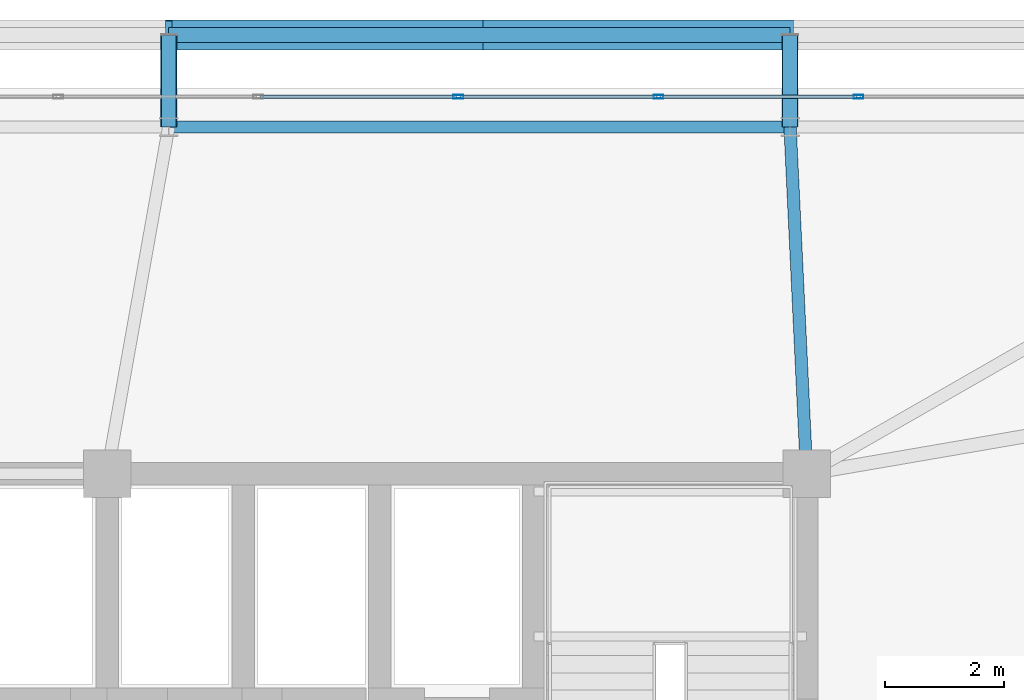
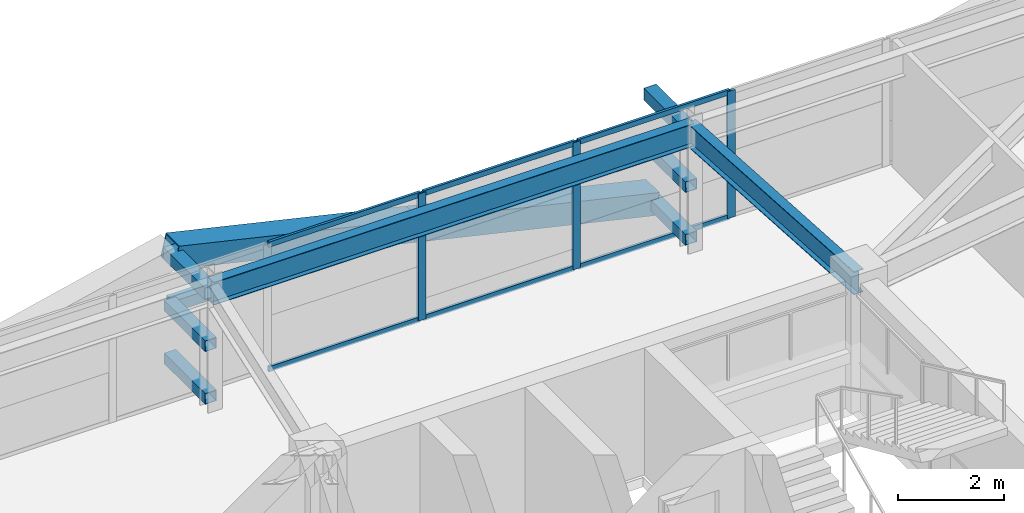
# One storey, part 38 of 59: 18 members, 2 beams, 1 element without a shape of its own.
"""IFC4 building model written with IfcOpenShell, lengths in metres."""

from ifc_helpers import new_model, si_unit, direction, frame, origin, origin_2d, place, context, subcontext, project, spatial, hollow_rectangle, i_section, extrude, source, transform, mapped, material, layer, layer_set, material_profile, profile_set, type_object, element, aggregate, save


model = new_model("IFC4")

# Units and contexts
model_context = context("Model", 3, precision=1e-05, world=origin(), true_north=direction((0.0, 1.0)))
body_context = subcontext(model_context, "Body", "Model", "MODEL_VIEW")
ifc_project = project(units=[si_unit("LENGTHUNIT", "METRE"), si_unit("AREAUNIT", "SQUARE_METRE"), si_unit("VOLUMEUNIT", "CUBIC_METRE"), si_unit("PLANEANGLEUNIT", "RADIAN"), si_unit("MASSUNIT", "GRAM", prefix="KILO")], contexts=[model_context])

# Site, building, storey
site_placement = place(None, origin())
site = spatial("IfcSite", under=ifc_project, at=site_placement, CompositionType="ELEMENT")
building_placement = place(site_placement, origin())
building = spatial("IfcBuilding", under=site, at=building_placement, Name="Taldren Reach Tower", CompositionType="ELEMENT")
storey_placement = place(building_placement, frame((0.0, 0.0, 48.300048828125)))
storey = spatial("IfcBuildingStorey", under=building, at=storey_placement, Name="L14", CompositionType="ELEMENT", Elevation=48.300048828125)

# Beams
ifc_material_1 = material(Name="Steel Gr 350 (350PLUS)", Category="steel")
ifc_material_profile_1 = material_profile(ifc_material_1, i_section(OverallWidth=0.208984375, OverallDepth=0.528076171875, WebThickness=0.009521484375, FlangeThickness=0.01318359375, at=origin_2d()), Name="530UB82.0")
ifc_profile_set_1 = profile_set([ifc_material_profile_1], Name="Steel Gr 350 (350PLUS)")
beam_type_1 = type_object("IfcBeamType", Name="SP-UB530B", PredefinedType="SPANDREL", material=ifc_profile_set_1)
shared_shape_1 = source(origin(), body_context, "Body", "SweptSolid", [
    extrude(i_section(OverallWidth=0.208984375, OverallDepth=0.528076171875, WebThickness=0.009521484375, FlangeThickness=0.01318359375, at=origin_2d()), origin(), (0.0, 0.0, 1.0), 10.47998046875),
])
beam_1_placement = place(storey_placement, frame((50.719970703125, 37.85009765625, 2.666015625), z_axis=(-1.0, 0.0, 0.0), x_axis=(0.0, -1.0, 0.0)))
element("IfcBeam", 1, at=beam_1_placement, inside=storey, type_object=beam_type_1, Name="Perimeter spandrel B1 N5-N4 L14", PredefinedType="SPANDREL", context=body_context, shape_type="MappedRepresentation", body=[
    mapped(shared_shape_1, transform((0.0, 0.0, 0.0), scale=1.0)),
])
ifc_material_profile_2 = material_profile(ifc_material_1, i_section(OverallWidth=0.208984375, OverallDepth=0.532958984375, WebThickness=0.01025390625, FlangeThickness=0.015625, at=origin_2d()), Name="530UB92.4")
ifc_profile_set_2 = profile_set([ifc_material_profile_2], Name="Steel Gr 350 (350PLUS)")
beam_type_2 = type_object("IfcBeamType", Name="BM-UB530A", PredefinedType="BEAM", material=ifc_profile_set_2)
shared_shape_2 = source(origin(), body_context, "Body", "SweptSolid", [
    extrude(i_section(OverallWidth=0.208984375, OverallDepth=0.532958984375, WebThickness=0.01025390625, FlangeThickness=0.015625, at=origin_2d()), origin(), (0.0, 0.0, 1.0), 5.856689453125),
])
beam_2_placement = place(storey_placement, frame((51.0, 32.0, 2.663330078125), z_axis=(-0.047812711672, 0.998856318297, 0.0), x_axis=(-0.998856318297, -0.047812711672, 0.0)))
element("IfcBeam", 2, at=beam_2_placement, inside=storey, type_object=beam_type_2, Name="Primary floor girder B1-N5 L14", PredefinedType="BEAM", context=body_context, shape_type="MappedRepresentation", body=[
    mapped(shared_shape_2, transform((0.0, 0.0, 0.0), scale=1.0)),
])

# Members
ifc_material_2 = material(Name="Steel Gr 450 (C450L0)", Category="steel")
ifc_material_profile_3 = material_profile(ifc_material_2, hollow_rectangle(XDim=0.27490234375, YDim=0.27490234375, WallThickness=0.00927734375, at=origin_2d()), Name="275x275x9.3SHS")
ifc_profile_set_3 = profile_set([ifc_material_profile_3], Name="Steel Gr 450 (C450L0)")
member_type_1 = type_object("IfcMemberType", Name="MB-TIE273", PredefinedType="STRUT", material=ifc_profile_set_3)
shared_shape_3 = source(origin(), body_context, "Body", "SweptSolid", [
    extrude(hollow_rectangle(XDim=0.27490234375, YDim=0.27490234375, WallThickness=0.00927734375, at=origin_2d()), origin(), (0.0, 0.0, 1.0), 1.5498046875),
])
for number, where, z_axis, x_axis, name in (
    (3, (40.239990234375, 37.85009765625, 2.64990234375), (0.0, 1.0, 0.0), (-1.0, 0.0, 0.0), "Exoskeleton diaphragm tie strut B1-N4 L14"),
    (4, (50.719970703125, 37.85009765625, 2.64990234375), (0.0, 1.0, 0.0), (-1.0, 0.0, 0.0), "Exoskeleton diaphragm tie strut B1-N5 L14"),
):
    element("IfcMember", number, at=place(storey_placement, frame(where, z_axis=z_axis, x_axis=x_axis)), inside=storey, type_object=member_type_1, Name=name, PredefinedType="STRUT", context=body_context, shape_type="MappedRepresentation", body=[
        mapped(shared_shape_3, transform((0.0, 0.0, 0.0), scale=1.0)),
    ])
ifc_material_profile_4 = material_profile(ifc_material_2, hollow_rectangle(XDim=0.510009765625, YDim=0.510009765625, WallThickness=0.02001953125, at=origin_2d()), Name="510x510x20.0SHS")
ifc_profile_set_4 = profile_set([ifc_material_profile_4], Name="Steel Gr 450 (C450L0)")
member_type_2 = type_object("IfcMemberType", Name="MB-EXO508", PredefinedType="BRACE", material=ifc_profile_set_4)
shared_shape_4 = source(origin(), body_context, "Body", "SweptSolid", [
    extrude(hollow_rectangle(XDim=0.510009765625, YDim=0.510009765625, WallThickness=0.02001953125, at=origin_2d()), origin(), (0.0, 0.0, 1.0), 5.37890625),
])
for number, where, z_axis, x_axis, name in (
    (5, (50.719970703125, 39.39990234375, 0.219970703125), (-0.97415197996, 0.0, 0.225893603143), (0.0, -1.0, 0.0), "Exoskeleton Diagrid Brace B1-N4 L14"),
    (6, (45.47998046875, 39.39990234375, 1.43505859375), (-0.974161966843, 0.0, 0.225850531007), (0.0, -1.0, 0.0), "Exoskeleton Diagrid Brace B1-N4 L14"),
):
    element("IfcMember", number, at=place(storey_placement, frame(where, z_axis=z_axis, x_axis=x_axis)), inside=storey, type_object=member_type_2, Name=name, PredefinedType="BRACE", context=body_context, shape_type="MappedRepresentation", body=[
        mapped(shared_shape_4, transform((0.0, 0.0, 0.0), scale=1.0)),
    ])
ifc_material_3 = material(Name="Steel Gr 350 (C350L0)", Category="steel")
ifc_material_profile_5 = material_profile(ifc_material_3, hollow_rectangle(XDim=0.25, YDim=0.25, WallThickness=0.010009765625, at=origin_2d()), Name="250x250x10.0SHS")
ifc_profile_set_5 = profile_set([ifc_material_profile_5], Name="Steel Gr 350 (C350L0)")
member_type_3 = type_object("IfcMemberType", Name="MB-POST250", PredefinedType="POST", material=ifc_profile_set_5)
shared_shape_5 = source(origin(), body_context, "Body", "SweptSolid", [
    extrude(hollow_rectangle(XDim=0.25, YDim=0.25, WallThickness=0.010009765625, at=origin_2d()), origin(), (0.0, 0.0, 1.0), 10.47998046875),
])
member_1_placement = place(storey_placement, frame((40.239990234375, 39.39990234375, 1.43505859375), z_axis=(1.0, 0.0, 0.0), x_axis=(0.0, 1.0, 0.0)))
element("IfcMember", 7, at=member_1_placement, inside=storey, type_object=member_type_3, Name="Exoskeleton mid-height ring chord B1-N4 L14", PredefinedType="POST", context=body_context, shape_type="MappedRepresentation", body=[
    mapped(shared_shape_5, transform((0.0, 0.0, 0.0), scale=1.0)),
])
shared_shape_6 = source(origin(), body_context, "Body", "SweptSolid", [
    extrude(hollow_rectangle(XDim=0.25, YDim=0.25, WallThickness=0.010009765625, at=origin_2d()), origin(), (0.0, 0.0, 1.0), 1.5498046875),
])
for number, where, z_axis, x_axis, name in (
    (8, (40.239990234375, 37.85009765625, 0.219970703125), (0.0, 1.0, 0.0), (-1.0, 0.0, 0.0), "Exoskeleton base diaphragm tie strut B1-N4 L14"),
    (9, (50.719970703125, 37.85009765625, 0.219970703125), (0.0, 1.0, 0.0), (-1.0, 0.0, 0.0), "Exoskeleton base diaphragm tie strut B1-N5 L14"),
    (10, (40.239990234375, 37.85009765625, 1.43505859375), (0.0, 1.0, 0.0), (-1.0, 0.0, 0.0), "Exoskeleton mid-tier diaphragm tie B1-N4 L14"),
    (11, (50.719970703125, 37.85009765625, 1.43505859375), (0.0, 1.0, 0.0), (-1.0, 0.0, 0.0), "Exoskeleton mid-tier diaphragm tie B1-N5 L14"),
):
    element("IfcMember", number, at=place(storey_placement, frame(where, z_axis=z_axis, x_axis=x_axis)), inside=storey, type_object=member_type_3, Name=name, PredefinedType="POST", context=body_context, shape_type="MappedRepresentation", body=[
        mapped(shared_shape_6, transform((0.0, 0.0, 0.0), scale=1.0)),
    ])

# Curtain wall, members
ifc_material_4 = material(Name="Aluminium and Low-E Glass Unitised System", Category="aluminium")
ifc_layer = layer(ifc_material_4, 0.159912109375)
ifc_layer_set = layer_set([ifc_layer], Name="Aluminium and Low-E Glass Unitised System")
curtain_wall_type = type_object("IfcCurtainWallType", Name="CW-SYS-2", PredefinedType="NOTDEFINED", material=ifc_layer_set)
curtain_wall_placement = place(storey_placement, origin())
curtain_wall = element("IfcCurtainWall", 12, at=curtain_wall_placement, inside=storey, type_object=curtain_wall_type, Name="Unitised curtain wall CW-L14-N", PredefinedType="NOTDEFINED")
ifc_material_5 = material(Name="Anodised Aluminium 6063-T6", Category="aluminium")
ifc_material_profile_6 = material_profile(ifc_material_5, hollow_rectangle(XDim=0.06494140625, YDim=0.1650390625, WallThickness=0.00390625, at=origin_2d()), Name="ALU-165x65x4RHS")
ifc_profile_set_6 = profile_set([ifc_material_profile_6], Name="Anodised Aluminium 6063-T6")
member_type_4 = type_object("IfcMemberType", Name="CW-MUL-165", PredefinedType="MULLION", material=ifc_profile_set_6)
shared_shape_7 = source(origin(), body_context, "Body", "SweptSolid", [
    extrude(hollow_rectangle(XDim=0.06494140625, YDim=0.1650390625, WallThickness=0.00390625, at=origin_2d()), origin(), (0.0, 0.0, 1.0), 2.929931640625),
])
member_2_placement = place(storey_placement, frame((51.875, 38.360107421875, 0.0), z_axis=(0.0, 0.0, 1.0), x_axis=(0.0, -1.0, 0.0)))
member_2 = element("IfcMember", 13, at=member_2_placement, type_object=member_type_4, Name="CW-2 mullion 4", PredefinedType="MULLION", context=body_context, shape_type="MappedRepresentation", body=[
    mapped(shared_shape_7, transform((0.0, 0.0, 0.0), scale=1.0)),
])
member_3_placement = place(storey_placement, frame((48.5, 38.360107421875, 0.0), z_axis=(0.0, 0.0, 1.0), x_axis=(0.0, -1.0, 0.0)))
member_3 = element("IfcMember", 14, at=member_3_placement, type_object=member_type_4, Name="CW-2 mullion 5", PredefinedType="MULLION", context=body_context, shape_type="MappedRepresentation", body=[
    mapped(shared_shape_7, transform((0.0, 0.0, 0.0), scale=1.0)),
])
member_4_placement = place(storey_placement, frame((45.125, 38.360107421875, 0.0), z_axis=(0.0, 0.0, 1.0), x_axis=(0.0, -1.0, 0.0)))
member_4 = element("IfcMember", 15, at=member_4_placement, type_object=member_type_4, Name="CW-2 mullion 6", PredefinedType="MULLION", context=body_context, shape_type="MappedRepresentation", body=[
    mapped(shared_shape_7, transform((0.0, 0.0, 0.0), scale=1.0)),
])
ifc_material_profile_7 = material_profile(ifc_material_5, hollow_rectangle(XDim=0.054931640625, YDim=0.1201171875, WallThickness=0.0029296875, at=origin_2d()), Name="ALU-120x55x3RHS")
ifc_profile_set_7 = profile_set([ifc_material_profile_7], Name="Anodised Aluminium 6063-T6")
member_type_5 = type_object("IfcMemberType", Name="CW-TRN-135", PredefinedType="USERDEFINED", material=ifc_profile_set_7)
shared_shape_8 = source(origin(), body_context, "Body", "SweptSolid", [
    extrude(hollow_rectangle(XDim=0.054931640625, YDim=0.1201171875, WallThickness=0.0029296875, at=origin_2d()), origin(), (0.0, 0.0, 1.0), 3.31005859375),
])
member_5_placement = place(storey_placement, frame((51.842529296875, 38.360107421875, 0.02734375), z_axis=(-1.0, 0.0, 0.0), x_axis=(0.0, -1.0, 0.0)))
member_5 = element("IfcMember", 16, at=member_5_placement, type_object=member_type_5, Name="CW-2 transom 4.1", ObjectType="TRANSOM", PredefinedType="USERDEFINED", context=body_context, shape_type="MappedRepresentation", body=[
    mapped(shared_shape_8, transform((0.0, 0.0, 0.0), scale=1.0)),
])
member_6_placement = place(storey_placement, frame((51.842529296875, 38.360107421875, 2.90234375), z_axis=(-1.0, 0.0, 0.0), x_axis=(0.0, -1.0, 0.0)))
member_6 = element("IfcMember", 17, at=member_6_placement, type_object=member_type_5, Name="CW-2 transom 4.2", ObjectType="TRANSOM", PredefinedType="USERDEFINED", context=body_context, shape_type="MappedRepresentation", body=[
    mapped(shared_shape_8, transform((0.0, 0.0, 0.0), scale=1.0)),
])
member_7_placement = place(storey_placement, frame((48.467529296875, 38.360107421875, 0.02734375), z_axis=(-1.0, 0.0, 0.0), x_axis=(0.0, -1.0, 0.0)))
member_7 = element("IfcMember", 18, at=member_7_placement, type_object=member_type_5, Name="CW-2 transom 5.1", ObjectType="TRANSOM", PredefinedType="USERDEFINED", context=body_context, shape_type="MappedRepresentation", body=[
    mapped(shared_shape_8, transform((0.0, 0.0, 0.0), scale=1.0)),
])
member_8_placement = place(storey_placement, frame((48.467529296875, 38.360107421875, 2.90234375), z_axis=(-1.0, 0.0, 0.0), x_axis=(0.0, -1.0, 0.0)))
member_8 = element("IfcMember", 19, at=member_8_placement, type_object=member_type_5, Name="CW-2 transom 5.2", ObjectType="TRANSOM", PredefinedType="USERDEFINED", context=body_context, shape_type="MappedRepresentation", body=[
    mapped(shared_shape_8, transform((0.0, 0.0, 0.0), scale=1.0)),
])
member_9_placement = place(storey_placement, frame((45.092529296875, 38.360107421875, 0.02734375), z_axis=(-1.0, 0.0, 0.0), x_axis=(0.0, -1.0, 0.0)))
member_9 = element("IfcMember", 20, at=member_9_placement, type_object=member_type_5, Name="CW-2 transom 6.1", ObjectType="TRANSOM", PredefinedType="USERDEFINED", context=body_context, shape_type="MappedRepresentation", body=[
    mapped(shared_shape_8, transform((0.0, 0.0, 0.0), scale=1.0)),
])
member_10_placement = place(storey_placement, frame((45.092529296875, 38.360107421875, 2.90234375), z_axis=(-1.0, 0.0, 0.0), x_axis=(0.0, -1.0, 0.0)))
member_10 = element("IfcMember", 21, at=member_10_placement, type_object=member_type_5, Name="CW-2 transom 6.2", ObjectType="TRANSOM", PredefinedType="USERDEFINED", context=body_context, shape_type="MappedRepresentation", body=[
    mapped(shared_shape_8, transform((0.0, 0.0, 0.0), scale=1.0)),
])
aggregate(curtain_wall, [member_2, member_3, member_4, member_5, member_6, member_7, member_8, member_9, member_10])

save(model, "model.ifc")
